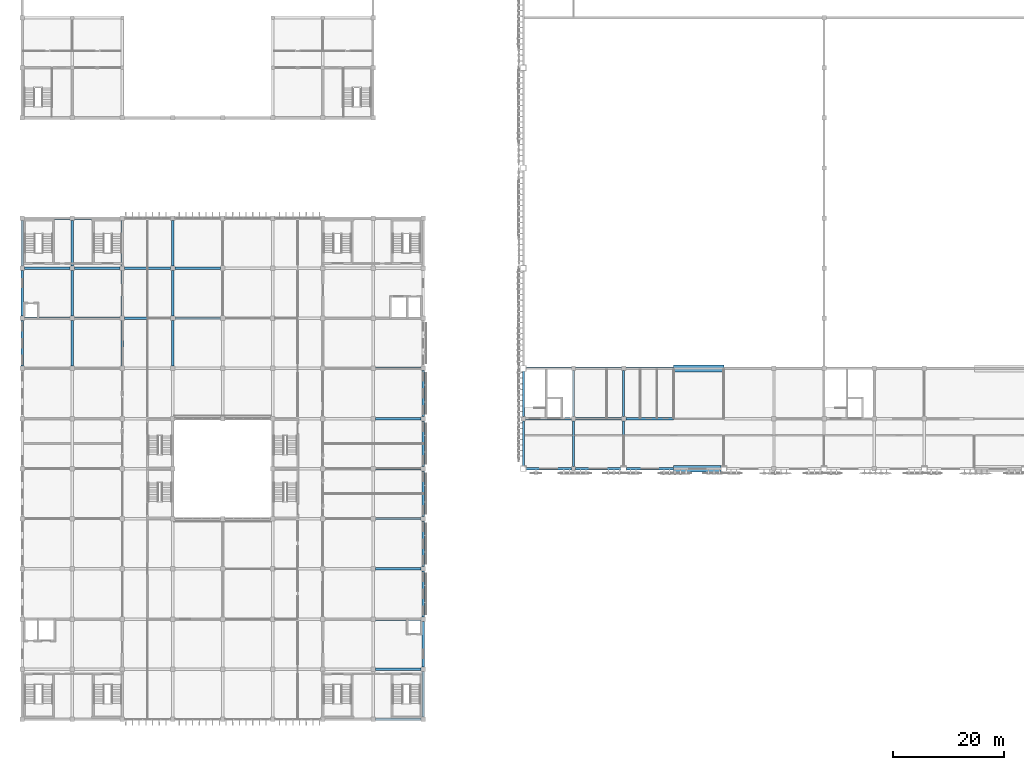
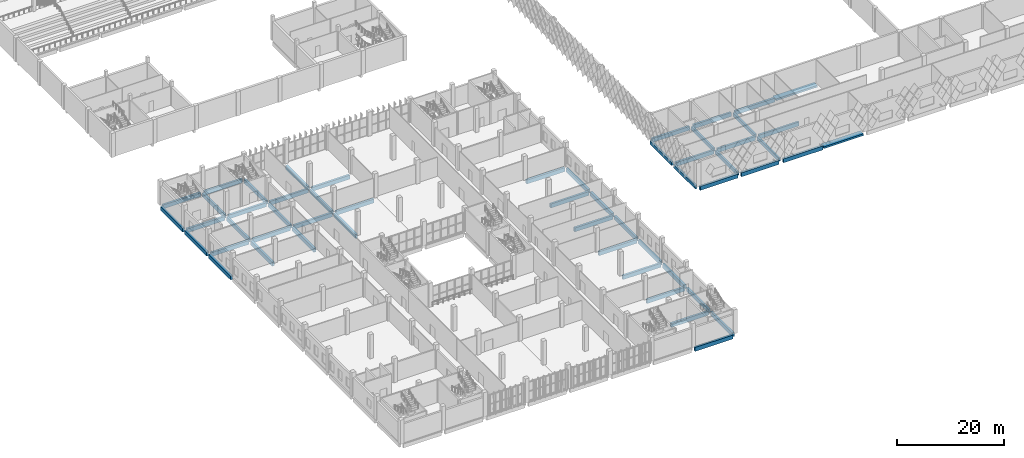
# One storey, part 25 of 185: 54 beams.
"""IFC4 building model written with IfcOpenShell, lengths in metres."""

from ifc_helpers import new_model, si_unit, direction, frame, origin, origin_2d, place, context, subcontext, project, spatial, rectangle, extrude, material, material_profile, profile_set, type_object, element, save


model = new_model("IFC4")

# Units and contexts
model_context = context("Model", 3, precision=1e-05, world=origin(), true_north=direction((0.0, 1.0)))
body_context = subcontext(model_context, "Body", "Model", "MODEL_VIEW")
ifc_project = project(units=[si_unit("LENGTHUNIT", "METRE"), si_unit("AREAUNIT", "SQUARE_METRE"), si_unit("VOLUMEUNIT", "CUBIC_METRE"), si_unit("PLANEANGLEUNIT", "RADIAN"), si_unit("MASSUNIT", "GRAM", prefix="KILO")], contexts=[model_context])

# Site, building, storey
site_placement = place(None, origin())
site = spatial("IfcSite", under=ifc_project, at=site_placement, CompositionType="ELEMENT")
building_placement = place(site_placement, origin())
building = spatial("IfcBuilding", under=site, at=building_placement, Name="Opaline Strait Convention Centre", CompositionType="ELEMENT")
storey_placement = place(building_placement, frame((0.0, 0.0, 6.0)))
storey = spatial("IfcBuildingStorey", under=building, at=storey_placement, Name="L01", CompositionType="ELEMENT", Elevation=6.0)

# Beams
ifc_material = material(Name="Concrete C35", Category="concrete")
ifc_material_profile_1 = material_profile(ifc_material, rectangle(XDim=0.39990234375, YDim=0.800048828125, at=origin_2d()), Name="RC 400x800")
ifc_profile_set_1 = profile_set([ifc_material_profile_1], Name="Concrete C35")
beam_type_1 = type_object("IfcBeamType", Name="RC beam 400x800 C35", PredefinedType="BEAM", material=ifc_profile_set_1)
for number, where, z_axis, x_axis, name in (
    (1, (99.0, 54.5, -0.679931640625), (0.0, 1.0, 0.0), (-1.0, 0.0, 0.0), "EXB-SF-B-Y-99-54"),
    (2, (99.0, 63.39990234375, -0.679931640625), (0.0, 1.0, 0.0), (-1.0, 0.0, 0.0), "EXB-SF-B-Y-99-63"),
):
    element("IfcBeam", number, at=place(storey_placement, frame(where, z_axis=z_axis, x_axis=x_axis)), inside=storey, type_object=beam_type_1, Name=name, ObjectType="XB2", PredefinedType="BEAM", context=body_context, shape_type="SweptSolid", body=[
        extrude(rectangle(XDim=0.39990234375, YDim=0.800048828125, at=origin_2d()), origin(), (0.0, 0.0, 1.0), 8.10009765625),
    ])
for number, where, z_axis, x_axis, name in (
    (3, (108.0, 54.39990234375, -0.679931640625), (0.0, 1.0, 0.0), (-1.0, 0.0, 0.0), "EXB-SF-B-Y-108-54"),
    (4, (108.0, 63.39990234375, -0.679931640625), (0.0, 1.0, 0.0), (-1.0, 0.0, 0.0), "EXB-SF-B-Y-108-63"),
):
    element("IfcBeam", number, at=place(storey_placement, frame(where, z_axis=z_axis, x_axis=x_axis)), inside=storey, type_object=beam_type_1, Name=name, ObjectType="XB2", PredefinedType="BEAM", context=body_context, shape_type="SweptSolid", body=[
        extrude(rectangle(XDim=0.39990234375, YDim=0.800048828125, at=origin_2d()), origin(), (0.0, 0.0, 1.0), 8.2001953125),
    ])
beam_1_placement = place(storey_placement, frame((117.0, 54.5, -0.679931640625), z_axis=(0.0, 1.0, 0.0), x_axis=(-1.0, 0.0, 0.0)))
element("IfcBeam", 5, at=beam_1_placement, inside=storey, type_object=beam_type_1, Name="EXB-SF-B-Y-117-54", ObjectType="XB2", PredefinedType="BEAM", context=body_context, shape_type="SweptSolid", body=[
    extrude(rectangle(XDim=0.39990234375, YDim=0.800048828125, at=origin_2d()), origin(), (0.0, 0.0, 1.0), 8.10009765625),
])
beam_2_placement = place(storey_placement, frame((117.0, 63.39990234375, -0.679931640625), z_axis=(0.0, 1.0, 0.0), x_axis=(-1.0, 0.0, 0.0)))
element("IfcBeam", 6, at=beam_2_placement, inside=storey, type_object=beam_type_1, Name="EXB-SF-B-Y-117-63", ObjectType="XB2", PredefinedType="BEAM", context=body_context, shape_type="SweptSolid", body=[
    extrude(rectangle(XDim=0.39990234375, YDim=0.800048828125, at=origin_2d()), origin(), (0.0, 0.0, 1.0), 8.2001953125),
])
ifc_material_profile_2 = material_profile(ifc_material, rectangle(XDim=0.449951171875, YDim=0.89990234375, at=origin_2d()), Name="RC 450x900")
ifc_profile_set_2 = profile_set([ifc_material_profile_2], Name="Concrete C35")
beam_type_2 = type_object("IfcBeamType", Name="RC beam 450x900 C35", PredefinedType="BEAM", material=ifc_profile_set_2)
for number, where, z_axis, x_axis, name in (
    (7, (99.5, 54.0, -0.72998046875), (1.0, 0.0, 0.0), (0.0, 1.0, 0.0), "EXB-SF-B-X-99-54"),
    (8, (108.39990234375, 54.0, -0.72998046875), (1.0, 0.0, 0.0), (0.0, 1.0, 0.0), "EXB-SF-B-X-108-54"),
):
    element("IfcBeam", number, at=place(storey_placement, frame(where, z_axis=z_axis, x_axis=x_axis)), inside=storey, type_object=beam_type_2, Name=name, ObjectType="XB1", PredefinedType="BEAM", context=body_context, shape_type="SweptSolid", body=[
        extrude(rectangle(XDim=0.449951171875, YDim=0.89990234375, at=origin_2d()), origin(), (0.0, 0.0, 1.0), 8.10009765625),
    ])
beam_3_placement = place(storey_placement, frame((117.5, 54.0, -0.72998046875), z_axis=(1.0, 0.0, 0.0), x_axis=(0.0, 1.0, 0.0)))
element("IfcBeam", 9, at=beam_3_placement, inside=storey, type_object=beam_type_2, Name="EXB-SF-B-X-117-54", ObjectType="XB1", PredefinedType="BEAM", context=body_context, shape_type="SweptSolid", body=[
    extrude(rectangle(XDim=0.449951171875, YDim=0.89990234375, at=origin_2d()), origin(), (0.0, 0.0, 1.0), 8.5),
])
for number, where, z_axis, x_axis, name in (
    (10, (99.39990234375, 63.0, -0.72998046875), (1.0, 0.0, 0.0), (0.0, 1.0, 0.0), "EXB-SF-B-X-99-63"),
    (11, (108.39990234375, 63.0, -0.72998046875), (1.0, 0.0, 0.0), (0.0, 1.0, 0.0), "EXB-SF-B-X-108-63"),
):
    element("IfcBeam", number, at=place(storey_placement, frame(where, z_axis=z_axis, x_axis=x_axis)), inside=storey, type_object=beam_type_2, Name=name, ObjectType="XB1", PredefinedType="BEAM", context=body_context, shape_type="SweptSolid", body=[
        extrude(rectangle(XDim=0.449951171875, YDim=0.89990234375, at=origin_2d()), origin(), (0.0, 0.0, 1.0), 8.2001953125),
    ])
beam_4_placement = place(storey_placement, frame((117.39990234375, 63.0, -0.72998046875), z_axis=(1.0, 0.0, 0.0), x_axis=(0.0, 1.0, 0.0)))
element("IfcBeam", 12, at=beam_4_placement, inside=storey, type_object=beam_type_2, Name="EXB-SF-B-X-117-63", ObjectType="XB1", PredefinedType="BEAM", context=body_context, shape_type="SweptSolid", body=[
    extrude(rectangle(XDim=0.449951171875, YDim=0.89990234375, at=origin_2d()), origin(), (0.0, 0.0, 1.0), 8.60009765625),
])
beam_5_placement = place(storey_placement, frame((99.5, 72.0, -0.72998046875), z_axis=(1.0, 0.0, 0.0), x_axis=(0.0, 1.0, 0.0)))
element("IfcBeam", 13, at=beam_5_placement, inside=storey, type_object=beam_type_2, Name="EXB-SF-B-X-99-72", ObjectType="XB1", PredefinedType="BEAM", context=body_context, shape_type="SweptSolid", body=[
    extrude(rectangle(XDim=0.449951171875, YDim=0.89990234375, at=origin_2d()), origin(), (0.0, 0.0, 1.0), 8.10009765625),
])
beam_6_placement = place(storey_placement, frame((108.39990234375, 72.0, -0.72998046875), z_axis=(1.0, 0.0, 0.0), x_axis=(0.0, 1.0, 0.0)))
element("IfcBeam", 14, at=beam_6_placement, inside=storey, type_object=beam_type_2, Name="EXB-SF-B-X-108-72", ObjectType="XB1", PredefinedType="BEAM", context=body_context, shape_type="SweptSolid", body=[
    extrude(rectangle(XDim=0.449951171875, YDim=0.89990234375, at=origin_2d()), origin(), (0.0, 0.0, 1.0), 8.2001953125),
])
beam_7_placement = place(storey_placement, frame((117.39990234375, 72.0, -0.72998046875), z_axis=(1.0, 0.0, 0.0), x_axis=(0.0, 1.0, 0.0)))
element("IfcBeam", 15, at=beam_7_placement, inside=storey, type_object=beam_type_2, Name="EXB-SF-B-X-117-72", ObjectType="XB1", PredefinedType="BEAM", context=body_context, shape_type="SweptSolid", body=[
    extrude(rectangle(XDim=0.449951171875, YDim=0.89990234375, at=origin_2d()), origin(), (0.0, 0.0, 1.0), 8.60009765625),
])
for number, where, z_axis, x_axis, name in (
    (16, (72.39990234375, 9.0, -0.72998046875), (1.0, 0.0, 0.0), (0.0, 1.0, 0.0), "XB1 L01 72/9-81/9"),
    (17, (72.39990234375, 18.0, -0.72998046875), (1.0, 0.0, 0.0), (0.0, 1.0, 0.0), "XB1 L01 72/18-81/18"),
    (18, (72.39990234375, 27.0, -0.72998046875), (1.0, 0.0, 0.0), (0.0, 1.0, 0.0), "XB1 L01 72/27-81/27"),
    (19, (72.39990234375, 36.0, -0.72998046875), (1.0, 0.0, 0.0), (0.0, 1.0, 0.0), "XB1 L01 72/36-81/36"),
    (20, (72.39990234375, 45.0, -0.72998046875), (1.0, 0.0, 0.0), (0.0, 1.0, 0.0), "XB1 L01 72/45-81/45"),
    (21, (72.39990234375, 54.0, -0.72998046875), (1.0, 0.0, 0.0), (0.0, 1.0, 0.0), "XB1 L01 72/54-81/54"),
    (22, (72.39990234375, 63.0, -0.72998046875), (1.0, 0.0, 0.0), (0.0, 1.0, 0.0), "XB1 L01 72/63-81/63"),
    (23, (72.39990234375, 72.0, -0.72998046875), (1.0, 0.0, 0.0), (0.0, 1.0, 0.0), "XB1 L01 72/72-81/72"),
    (24, (9.39990234375, 81.0, -0.72998046875), (1.0, 0.0, 0.0), (0.0, 1.0, 0.0), "XB1 L01 9/81-18/81"),
    (25, (18.39990234375, 81.0, -0.72998046875), (1.0, 0.0, 0.0), (0.0, 1.0, 0.0), "XB1 L01 18/81-27/81"),
    (26, (27.39990234375, 81.0, -0.72998046875), (1.0, 0.0, 0.0), (0.0, 1.0, 0.0), "XB1 L01 27/81-36/81"),
    (27, (36.39990234375, 81.0, -0.72998046875), (1.0, 0.0, 0.0), (0.0, 1.0, 0.0), "XB1 L01 36/81-45/81"),
    (28, (9.39990234375, 90.0, -0.72998046875), (1.0, 0.0, 0.0), (0.0, 1.0, 0.0), "XB1 L01 9/90-18/90"),
    (29, (18.39990234375, 90.0, -0.72998046875), (1.0, 0.0, 0.0), (0.0, 1.0, 0.0), "XB1 L01 18/90-27/90"),
    (30, (27.39990234375, 90.0, -0.72998046875), (1.0, 0.0, 0.0), (0.0, 1.0, 0.0), "XB1 L01 27/90-36/90"),
    (31, (36.39990234375, 90.0, -0.72998046875), (1.0, 0.0, 0.0), (0.0, 1.0, 0.0), "XB1 L01 36/90-45/90"),
    (32, (9.39990234375, 99.0, -0.72998046875), (1.0, 0.0, 0.0), (0.0, 1.0, 0.0), "XB1 L01 9/99-18/99"),
    (33, (18.39990234375, 99.0, -0.72998046875), (1.0, 0.0, 0.0), (0.0, 1.0, 0.0), "XB1 L01 18/99-27/99"),
    (34, (9.0, 72.39990234375, -0.72998046875), (0.0, 1.0, 0.0), (-1.0, 0.0, 0.0), "XB1 L01 9/72-9/81"),
    (35, (9.0, 81.39990234375, -0.72998046875), (0.0, 1.0, 0.0), (-1.0, 0.0, 0.0), "XB1 L01 9/81-9/90"),
    (36, (9.0, 90.39990234375, -0.72998046875), (0.0, 1.0, 0.0), (-1.0, 0.0, 0.0), "XB1 L01 9/90-9/99"),
    (37, (18.0, 72.39990234375, -0.72998046875), (0.0, 1.0, 0.0), (-1.0, 0.0, 0.0), "XB1 L01 18/72-18/81"),
    (38, (18.0, 81.39990234375, -0.72998046875), (0.0, 1.0, 0.0), (-1.0, 0.0, 0.0), "XB1 L01 18/81-18/90"),
    (39, (18.0, 90.39990234375, -0.72998046875), (0.0, 1.0, 0.0), (-1.0, 0.0, 0.0), "XB1 L01 18/90-18/99"),
    (40, (27.0, 72.39990234375, -0.72998046875), (0.0, 1.0, 0.0), (-1.0, 0.0, 0.0), "XB1 L01 27/72-27/81"),
    (41, (27.0, 81.39990234375, -0.72998046875), (0.0, 1.0, 0.0), (-1.0, 0.0, 0.0), "XB1 L01 27/81-27/90"),
    (42, (27.0, 90.39990234375, -0.72998046875), (0.0, 1.0, 0.0), (-1.0, 0.0, 0.0), "XB1 L01 27/90-27/99"),
    (43, (36.0, 72.39990234375, -0.72998046875), (0.0, 1.0, 0.0), (-1.0, 0.0, 0.0), "XB1 L01 36/72-36/81"),
    (44, (36.0, 81.39990234375, -0.72998046875), (0.0, 1.0, 0.0), (-1.0, 0.0, 0.0), "XB1 L01 36/81-36/90"),
    (45, (36.0, 90.39990234375, -0.72998046875), (0.0, 1.0, 0.0), (-1.0, 0.0, 0.0), "XB1 L01 36/90-36/99"),
    (46, (81.0, 9.39990234375, -0.72998046875), (0.0, 1.0, 0.0), (-1.0, 0.0, 0.0), "XB1 L01 81/9-81/18"),
    (47, (81.0, 18.39990234375, -0.72998046875), (0.0, 1.0, 0.0), (-1.0, 0.0, 0.0), "XB1 L01 81/18-81/27"),
    (48, (81.0, 27.39990234375, -0.72998046875), (0.0, 1.0, 0.0), (-1.0, 0.0, 0.0), "XB1 L01 81/27-81/36"),
    (49, (81.0, 36.39990234375, -0.72998046875), (0.0, 1.0, 0.0), (-1.0, 0.0, 0.0), "XB1 L01 81/36-81/45"),
    (50, (81.0, 45.39990234375, -0.72998046875), (0.0, 1.0, 0.0), (-1.0, 0.0, 0.0), "XB1 L01 81/45-81/54"),
    (51, (81.0, 54.39990234375, -0.72998046875), (0.0, 1.0, 0.0), (-1.0, 0.0, 0.0), "XB1 L01 81/54-81/63"),
    (52, (81.0, 63.39990234375, -0.72998046875), (0.0, 1.0, 0.0), (-1.0, 0.0, 0.0), "XB1 L01 81/63-81/72"),
):
    element("IfcBeam", number, at=place(storey_placement, frame(where, z_axis=z_axis, x_axis=x_axis)), inside=storey, type_object=beam_type_2, Name=name, PredefinedType="BEAM", context=body_context, shape_type="SweptSolid", body=[
        extrude(rectangle(XDim=0.449951171875, YDim=0.89990234375, at=origin_2d()), origin(), (0.0, 0.0, 1.0), 8.2001953125),
    ])
ifc_material_profile_3 = material_profile(ifc_material, rectangle(XDim=1.199951171875, YDim=0.419921875, at=origin_2d()), Name="RC 1200x420")
ifc_profile_set_3 = profile_set([ifc_material_profile_3], Name="Concrete C35")
beam_type_3 = type_object("IfcBeamType", Name="RC lintel beam 1200x420 C35", PredefinedType="BEAM", material=ifc_profile_set_3)
beam_8_placement = place(storey_placement, frame((126.0, 54.0, -0.489990234375), z_axis=(1.0, 0.0, 0.0), x_axis=(0.0, 1.0, 0.0)))
element("IfcBeam", 53, at=beam_8_placement, inside=storey, type_object=beam_type_3, Name="EXB-SF-B-X-126-54", ObjectType="XB3", PredefinedType="BEAM", context=body_context, shape_type="SweptSolid", body=[
    extrude(rectangle(XDim=1.199951171875, YDim=0.419921875, at=origin_2d()), origin(), (0.0, 0.0, 1.0), 8.5),
])
beam_9_placement = place(storey_placement, frame((126.0, 72.0, -0.489990234375), z_axis=(1.0, 0.0, 0.0), x_axis=(0.0, 1.0, 0.0)))
element("IfcBeam", 54, at=beam_9_placement, inside=storey, type_object=beam_type_3, Name="EXB-SF-B-X-126-72", ObjectType="XB3", PredefinedType="BEAM", context=body_context, shape_type="SweptSolid", body=[
    extrude(rectangle(XDim=1.199951171875, YDim=0.419921875, at=origin_2d()), origin(), (0.0, 0.0, 1.0), 9.0),
])

save(model, "model.ifc")
